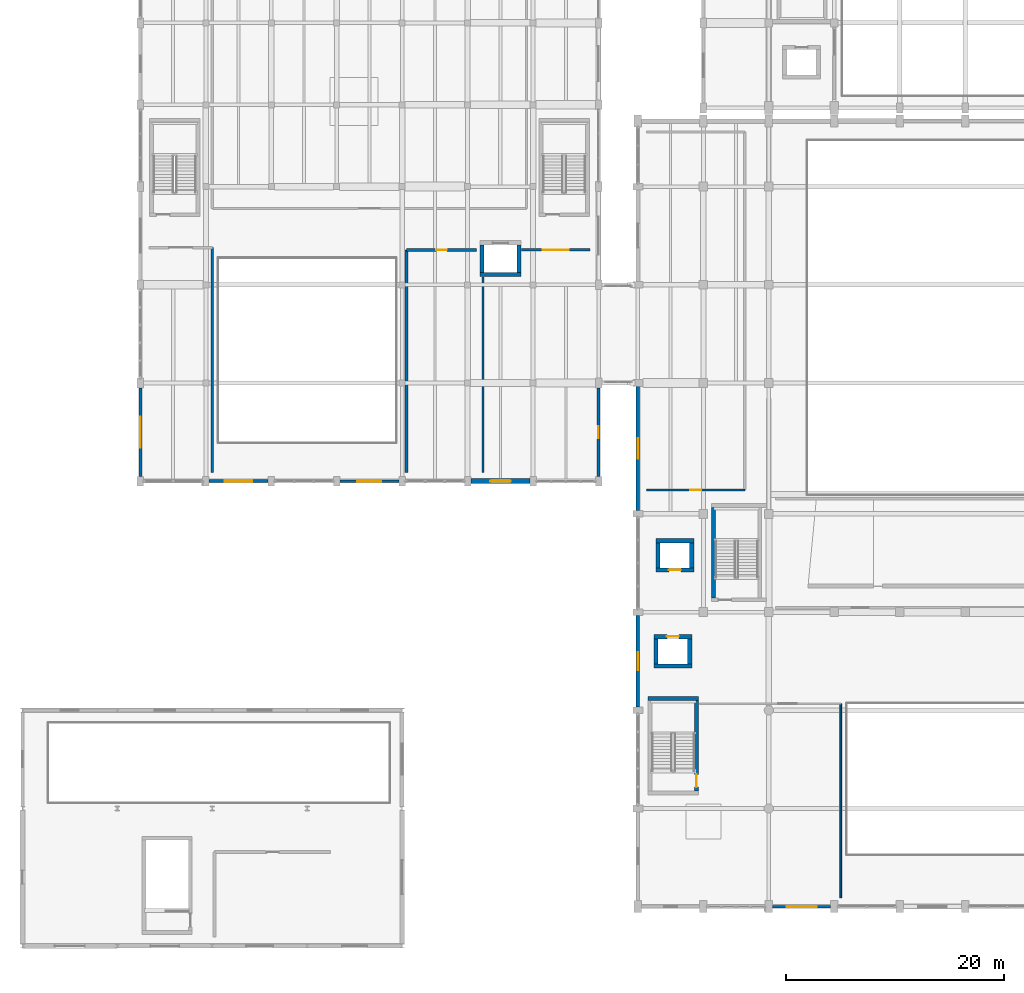
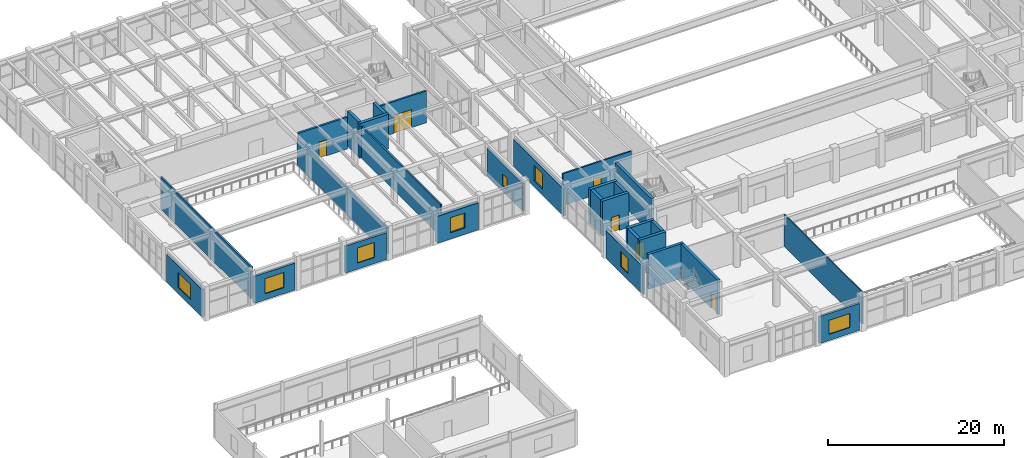
# One storey, part 68 of 96: 29 walls, 8 windows, 6 doors, 14 openings.
"""IFC4 building model written with IfcOpenShell, lengths in metres."""

from ifc_helpers import new_model, si_unit, direction, frame, frame_2d, origin, place, context, subcontext, project, spatial, rectangle, extrude, material, layer, layer_set, type_object, element, fill, save


model = new_model("IFC4")

# Units and contexts
model_context = context("Model", 3, precision=1e-05, world=origin(), true_north=direction((0.0, 1.0)))
body_context = subcontext(model_context, "Body", "Model", "MODEL_VIEW")
ifc_project = project(units=[si_unit("LENGTHUNIT", "METRE"), si_unit("AREAUNIT", "SQUARE_METRE"), si_unit("VOLUMEUNIT", "CUBIC_METRE"), si_unit("PLANEANGLEUNIT", "RADIAN"), si_unit("MASSUNIT", "GRAM", prefix="KILO")], contexts=[model_context])

# Site, building, storey
site_placement = place(None, origin())
site = spatial("IfcSite", under=ifc_project, at=site_placement, CompositionType="ELEMENT")
building_placement = place(site_placement, origin())
building = spatial("IfcBuilding", under=site, at=building_placement, Name="Vaelkrest Opera House", CompositionType="ELEMENT")
storey_placement = place(building_placement, frame((0.0, 0.0, 5.39990234375)))
storey = spatial("IfcBuildingStorey", under=building, at=storey_placement, Name="L01", CompositionType="ELEMENT", Elevation=5.39990234375)

# Wall, opening, window
ifc_material_1 = material(Name="Douglas fir glulam GL28h", Category="wood")
ifc_layer_1 = layer(ifc_material_1, 0.2548828125)
ifc_layer_set_1 = layer_set([ifc_layer_1], Name="Douglas fir glulam GL28h")
wall_type_1 = type_object("IfcWallType", Name="EW01", PredefinedType="STANDARD", material=ifc_layer_set_1)
wall_1_placement = place(storey_placement, frame((-12.347900390625, -55.800048828125, 0.0), z_axis=(0.0, 0.0, 1.0), x_axis=(-1.0, 0.0, 0.0)))
wall_1 = element("IfcWall", 1, at=wall_1_placement, inside=storey, type_object=wall_type_1, Name="Exterior facade wall EW-V1-L01-0031", PredefinedType="STANDARD", context=body_context, shape_type="SweptSolid", body=[
    extrude(rectangle(XDim=5.30419921875, YDim=0.2548828125, at=frame_2d((2.652099609375, 0.0))), origin(), (0.0, 0.0, 1.0), 3.739990234375),
])
opening_1_placement = place(wall_1_placement, frame((1.277099609375, 0.0, 0.85009765625)))
opening_1 = element("IfcOpeningElement", 2, at=opening_1_placement, cuts=wall_1, Name="Opening WN012", PredefinedType="OPENING", context=body_context, shape_type="SweptSolid", body=[
    extrude(rectangle(XDim=2.75, YDim=1.949951171875, at=frame_2d((1.375, 0.97509765625))), frame((0.0, 0.137451171875, 0.0), z_axis=(0.0, -1.0, 0.0), x_axis=(1.0, 0.0, 0.0)), (0.0, 0.0, 1.0), 0.27490234375),
])
ifc_material_2 = material(Name="Double low-E insulated glazing", Category="glass")
window_type_1 = type_object("IfcWindowType", Name="WT12", PartitioningType="SINGLE_PANEL", PredefinedType="WINDOW", material=ifc_material_2)
window_1_placement = place(opening_1_placement, origin())
window_1 = element("IfcWindow", 3, at=window_1_placement, inside=storey, type_object=window_type_1, Name="Facade window WN012", OverallHeight=1.949951171875, OverallWidth=2.75, PartitioningType="SINGLE_PANEL", PredefinedType="WINDOW", context=body_context, shape_type="SweptSolid", body=[
    extrude(rectangle(XDim=2.75, YDim=1.949951171875, at=frame_2d((1.375, 0.97509765625))), frame((0.0, 0.030029296875, 0.0), z_axis=(0.0, -1.0, 0.0), x_axis=(1.0, 0.0, 0.0)), (0.0, 0.0, 1.0), 0.06005859375),
])
fill(opening_1, window_1)

wall_2_placement = place(storey_placement, frame((-51.89794921875, -16.800048828125, 0.0), z_axis=(0.0, 0.0, 1.0), x_axis=(-1.0, 0.0, 0.0)))
wall_2 = element("IfcWall", 4, at=wall_2_placement, inside=storey, type_object=wall_type_1, Name="Exterior facade wall EW-V3-L01-0161", PredefinedType="STANDARD", context=body_context, shape_type="SweptSolid", body=[
    extrude(rectangle(XDim=5.404052734375, YDim=0.2548828125, at=frame_2d((2.7021484375, 0.0))), origin(), (0.0, 0.0, 1.0), 3.739990234375),
])
opening_2_placement = place(wall_2_placement, frame((1.60205078125, 0.0, 0.85009765625)))
opening_2 = element("IfcOpeningElement", 5, at=opening_2_placement, cuts=wall_2, Name="Opening WN069", PredefinedType="OPENING", context=body_context, shape_type="SweptSolid", body=[
    extrude(rectangle(XDim=2.199951171875, YDim=2.10009765625, at=frame_2d((1.10009765625, 1.050048828125))), frame((0.0, 0.137451171875, 0.0), z_axis=(0.0, -1.0, 0.0), x_axis=(1.0, 0.0, 0.0)), (0.0, 0.0, 1.0), 0.27490234375),
])
window_type_2 = type_object("IfcWindowType", Name="WT17", PartitioningType="SINGLE_PANEL", PredefinedType="WINDOW", material=ifc_material_2)
window_2_placement = place(opening_2_placement, origin())
window_2 = element("IfcWindow", 6, at=window_2_placement, inside=storey, type_object=window_type_2, Name="Facade window WN069", OverallHeight=2.10009765625, OverallWidth=2.199951171875, PartitioningType="SINGLE_PANEL", PredefinedType="WINDOW", context=body_context, shape_type="SweptSolid", body=[
    extrude(rectangle(XDim=2.199951171875, YDim=2.10009765625, at=frame_2d((1.10009765625, 1.050048828125))), frame((0.0, 0.030029296875, 0.0), z_axis=(0.0, -1.0, 0.0), x_axis=(1.0, 0.0, 0.0)), (0.0, 0.0, 1.0), 0.06005859375),
])
fill(opening_2, window_2)

wall_3_placement = place(storey_placement, frame((-33.60009765625, -8.248046875, 0.0), z_axis=(0.0, 0.0, 1.0), x_axis=(0.0, -1.0, 0.0)))
wall_3 = element("IfcWall", 7, at=wall_3_placement, inside=storey, type_object=wall_type_1, Name="Exterior facade wall EW-V3-L01-0171", PredefinedType="STANDARD", context=body_context, shape_type="SweptSolid", body=[
    extrude(rectangle(XDim=8.10400390625, YDim=0.2548828125, at=frame_2d((4.052001953125, 0.0))), origin(), (0.0, 0.0, 1.0), 3.82421875),
])
opening_3_placement = place(wall_3_placement, frame((3.501953125, 0.0, 0.85009765625)))
opening_3 = element("IfcOpeningElement", 8, at=opening_3_placement, cuts=wall_3, Name="Opening WN079", PredefinedType="OPENING", context=body_context, shape_type="SweptSolid", body=[
    extrude(rectangle(XDim=1.10009765625, YDim=1.60009765625, at=frame_2d((0.550048828125, 0.800048828125))), frame((0.0, 0.137451171875, 0.0), z_axis=(0.0, -1.0, 0.0), x_axis=(1.0, 0.0, 0.0)), (0.0, 0.0, 1.0), 0.27490234375),
])
window_type_3 = type_object("IfcWindowType", Name="WT01", PartitioningType="SINGLE_PANEL", PredefinedType="WINDOW", material=ifc_material_2)
window_3_placement = place(opening_3_placement, origin())
window_3 = element("IfcWindow", 9, at=window_3_placement, inside=storey, type_object=window_type_3, Name="Facade window WN079", OverallHeight=1.60009765625, OverallWidth=1.10009765625, PartitioningType="SINGLE_PANEL", PredefinedType="WINDOW", context=body_context, shape_type="SweptSolid", body=[
    extrude(rectangle(XDim=1.10009765625, YDim=1.60009765625, at=frame_2d((0.550048828125, 0.800048828125))), frame((0.0, 0.030029296875, 0.0), z_axis=(0.0, -1.0, 0.0), x_axis=(1.0, 0.0, 0.0)), (0.0, 0.0, 1.0), 0.06005859375),
])
fill(opening_3, window_3)

ifc_layer_2 = layer(ifc_material_1, 0.27490234375)
ifc_layer_set_2 = layer_set([ifc_layer_2], Name="Douglas fir glulam GL28h")
wall_type_2 = type_object("IfcWallType", Name="EW02", PredefinedType="STANDARD", material=ifc_layer_set_2)
wall_4_placement = place(storey_placement, frame((-63.89794921875, -16.800048828125, 0.0), z_axis=(0.0, 0.0, 1.0), x_axis=(-1.0, 0.0, 0.0)))
wall_4 = element("IfcWall", 10, at=wall_4_placement, inside=storey, type_object=wall_type_2, Name="Exterior facade wall EW-V3-L01-0162", PredefinedType="STANDARD", context=body_context, shape_type="SweptSolid", body=[
    extrude(rectangle(XDim=5.404052734375, YDim=0.27490234375, at=frame_2d((2.7021484375, 0.0))), origin(), (0.0, 0.0, 1.0), 3.739990234375),
])
opening_4_placement = place(wall_4_placement, frame((1.451904296875, 0.0, 0.85009765625)))
opening_4 = element("IfcOpeningElement", 11, at=opening_4_placement, cuts=wall_4, Name="Opening WN070", PredefinedType="OPENING", context=body_context, shape_type="SweptSolid", body=[
    extrude(rectangle(XDim=2.5, YDim=2.10009765625, at=frame_2d((1.25, 1.050048828125))), frame((0.0, 0.1474609375, 0.0), z_axis=(0.0, -1.0, 0.0), x_axis=(1.0, 0.0, 0.0)), (0.0, 0.0, 1.0), 0.294921875),
])
window_type_4 = type_object("IfcWindowType", Name="WT18", PartitioningType="SINGLE_PANEL", PredefinedType="WINDOW", material=ifc_material_2)
window_4_placement = place(opening_4_placement, origin())
window_4 = element("IfcWindow", 12, at=window_4_placement, inside=storey, type_object=window_type_4, Name="Facade window WN070", OverallHeight=2.10009765625, OverallWidth=2.5, PartitioningType="SINGLE_PANEL", PredefinedType="WINDOW", context=body_context, shape_type="SweptSolid", body=[
    extrude(rectangle(XDim=2.5, YDim=2.10009765625, at=frame_2d((1.25, 1.050048828125))), frame((0.0, 0.030029296875, 0.0), z_axis=(0.0, -1.0, 0.0), x_axis=(1.0, 0.0, 0.0)), (0.0, 0.0, 1.0), 0.06005859375),
])
fill(opening_4, window_4)

ifc_layer_3 = layer(ifc_material_1, 0.294921875)
ifc_layer_set_3 = layer_set([ifc_layer_3], Name="Douglas fir glulam GL28h")
wall_type_3 = type_object("IfcWallType", Name="EW03", PredefinedType="STANDARD", material=ifc_layer_set_3)
wall_5_placement = place(storey_placement, frame((-75.60009765625, -16.35205078125, 0.0), z_axis=(0.0, 0.0, 1.0), x_axis=(0.0, 1.0, 0.0)))
wall_5 = element("IfcWall", 13, at=wall_5_placement, inside=storey, type_object=wall_type_3, Name="Exterior facade wall EW-V3-L01-0163", PredefinedType="STANDARD", context=body_context, shape_type="SweptSolid", body=[
    extrude(rectangle(XDim=8.10400390625, YDim=0.294921875, at=frame_2d((4.052001953125, 0.0))), origin(), (0.0, 0.0, 1.0), 3.82421875),
])
opening_5_placement = place(wall_5_placement, frame((2.626953125, 0.0, 0.85009765625)))
opening_5 = element("IfcOpeningElement", 14, at=opening_5_placement, cuts=wall_5, Name="Opening WN071", PredefinedType="OPENING", context=body_context, shape_type="SweptSolid", body=[
    extrude(rectangle(XDim=2.85009765625, YDim=2.10009765625, at=frame_2d((1.425048828125, 1.050048828125))), frame((0.0, 0.157470703125, 0.0), z_axis=(0.0, -1.0, 0.0), x_axis=(1.0, 0.0, 0.0)), (0.0, 0.0, 1.0), 0.31494140625),
])
window_type_5 = type_object("IfcWindowType", Name="WT19", PartitioningType="SINGLE_PANEL", PredefinedType="WINDOW", material=ifc_material_2)
window_5_placement = place(opening_5_placement, origin())
window_5 = element("IfcWindow", 15, at=window_5_placement, inside=storey, type_object=window_type_5, Name="Facade window WN071", OverallHeight=2.10009765625, OverallWidth=2.85009765625, PartitioningType="SINGLE_PANEL", PredefinedType="WINDOW", context=body_context, shape_type="SweptSolid", body=[
    extrude(rectangle(XDim=2.85009765625, YDim=2.10009765625, at=frame_2d((1.425048828125, 1.050048828125))), frame((0.0, 0.030029296875, 0.0), z_axis=(0.0, -1.0, 0.0), x_axis=(1.0, 0.0, 0.0)), (0.0, 0.0, 1.0), 0.06005859375),
])
fill(opening_5, window_5)

ifc_material_3 = material(Name="American black walnut acoustic timber", Category="wood")
ifc_layer_4 = layer(ifc_material_3, 0.31494140625)
ifc_layer_set_4 = layer_set([ifc_layer_4], Name="American black walnut acoustic timber")
wall_type_4 = type_object("IfcWallType", Name="EW04", PredefinedType="STANDARD", material=ifc_layer_set_4)
wall_6_placement = place(storey_placement, frame((-30.0, -37.501953125, 0.0), z_axis=(0.0, 0.0, 1.0), x_axis=(0.0, 1.0, 0.0)))
wall_6 = element("IfcWall", 16, at=wall_6_placement, inside=storey, type_object=wall_type_4, Name="Exterior facade wall EW-V1-L01-0034", PredefinedType="STANDARD", context=body_context, shape_type="SweptSolid", body=[
    extrude(rectangle(XDim=8.404052734375, YDim=0.31494140625, at=frame_2d((4.2021484375, 0.0))), origin(), (0.0, 0.0, 1.0), 3.82421875),
])
opening_6_placement = place(wall_6_placement, frame((3.376953125, 0.0, 0.85009765625)))
opening_6 = element("IfcOpeningElement", 17, at=opening_6_placement, cuts=wall_6, Name="Opening WN015", PredefinedType="OPENING", context=body_context, shape_type="SweptSolid", body=[
    extrude(rectangle(XDim=1.64990234375, YDim=2.10009765625, at=frame_2d((0.824951171875, 1.050048828125))), frame((0.0, 0.16748046875, 0.0), z_axis=(0.0, -1.0, 0.0), x_axis=(1.0, 0.0, 0.0)), (0.0, 0.0, 1.0), 0.3349609375),
])
window_type_6 = type_object("IfcWindowType", Name="WT15", PartitioningType="SINGLE_PANEL", PredefinedType="WINDOW", material=ifc_material_2)
window_6_placement = place(opening_6_placement, origin())
window_6 = element("IfcWindow", 18, at=window_6_placement, inside=storey, type_object=window_type_6, Name="Facade window WN015", OverallHeight=2.10009765625, OverallWidth=1.64990234375, PartitioningType="SINGLE_PANEL", PredefinedType="WINDOW", context=body_context, shape_type="SweptSolid", body=[
    extrude(rectangle(XDim=1.64990234375, YDim=2.10009765625, at=frame_2d((0.824951171875, 1.050048828125))), frame((0.0, 0.030029296875, 0.0), z_axis=(0.0, -1.0, 0.0), x_axis=(1.0, 0.0, 0.0)), (0.0, 0.0, 1.0), 0.06005859375),
])
fill(opening_6, window_6)

ifc_layer_5 = layer(ifc_material_3, 0.3349609375)
ifc_layer_set_5 = layer_set([ifc_layer_5], Name="American black walnut acoustic timber")
wall_type_5 = type_object("IfcWallType", Name="EW05", PredefinedType="STANDARD", material=ifc_layer_set_5)
wall_7_placement = place(storey_placement, frame((-30.0, -19.501953125, 0.0), z_axis=(0.0, 0.0, 1.0), x_axis=(0.0, 1.0, 0.0)))
wall_7 = element("IfcWall", 19, at=wall_7_placement, inside=storey, type_object=wall_type_5, Name="Exterior facade wall EW-V1-L01-0035", PredefinedType="STANDARD", context=body_context, shape_type="SweptSolid", body=[
    extrude(rectangle(XDim=11.404052734375, YDim=0.3349609375, at=frame_2d((5.7021484375, 0.0))), origin(), (0.0, 0.0, 1.0), 3.739990234375),
])
opening_7_placement = place(wall_7_placement, frame((4.751953125, 0.0, 0.85009765625)))
opening_7 = element("IfcOpeningElement", 20, at=opening_7_placement, cuts=wall_7, Name="Opening WN016", PredefinedType="OPENING", context=body_context, shape_type="SweptSolid", body=[
    extrude(rectangle(XDim=1.89990234375, YDim=2.10009765625, at=frame_2d((0.949951171875, 1.050048828125))), frame((0.0, 0.177490234375, 0.0), z_axis=(0.0, -1.0, 0.0), x_axis=(1.0, 0.0, 0.0)), (0.0, 0.0, 1.0), 0.35498046875),
])
window_type_7 = type_object("IfcWindowType", Name="WT16", PartitioningType="SINGLE_PANEL", PredefinedType="WINDOW", material=ifc_material_2)
window_7_placement = place(opening_7_placement, origin())
window_7 = element("IfcWindow", 21, at=window_7_placement, inside=storey, type_object=window_type_7, Name="Facade window WN016", OverallHeight=2.10009765625, OverallWidth=1.89990234375, PartitioningType="SINGLE_PANEL", PredefinedType="WINDOW", context=body_context, shape_type="SweptSolid", body=[
    extrude(rectangle(XDim=1.89990234375, YDim=2.10009765625, at=frame_2d((0.949951171875, 1.050048828125))), frame((0.0, 0.030029296875, 0.0), z_axis=(0.0, -1.0, 0.0), x_axis=(1.0, 0.0, 0.0)), (0.0, 0.0, 1.0), 0.06005859375),
])
fill(opening_7, window_7)

ifc_material_4 = material(Name="Concrete C40/50", Category="concrete")
ifc_layer_6 = layer(ifc_material_4, 0.465087890625)
ifc_layer_set_6 = layer_set([ifc_layer_6], Name="Concrete C40/50")
wall_type_6 = type_object("IfcWallType", Name="EW10", PredefinedType="STANDARD", material=ifc_layer_set_6)
wall_8_placement = place(storey_placement, frame((-39.89794921875, -16.800048828125, 0.0), z_axis=(0.0, 0.0, 1.0), x_axis=(-1.0, 0.0, 0.0)))
wall_8 = element("IfcWall", 22, at=wall_8_placement, inside=storey, type_object=wall_type_6, Name="Exterior facade wall EW-V3-L01-0160", PredefinedType="STANDARD", context=body_context, shape_type="SweptSolid", body=[
    extrude(rectangle(XDim=5.404052734375, YDim=0.465087890625, at=frame_2d((2.7021484375, 0.0))), origin(), (0.0, 0.0, 1.0), 3.739990234375),
])
opening_8_placement = place(wall_8_placement, frame((1.751953125, 0.0, 0.85009765625)))
opening_8 = element("IfcOpeningElement", 23, at=opening_8_placement, cuts=wall_8, Name="Opening WN068", PredefinedType="OPENING", context=body_context, shape_type="SweptSolid", body=[
    extrude(rectangle(XDim=1.89990234375, YDim=2.10009765625, at=frame_2d((0.949951171875, 1.050048828125))), frame((0.0, 0.242431640625, 0.0), z_axis=(0.0, -1.0, 0.0), x_axis=(1.0, 0.0, 0.0)), (0.0, 0.0, 1.0), 0.485107421875),
])
window_8_placement = place(opening_8_placement, origin())
window_8 = element("IfcWindow", 24, at=window_8_placement, inside=storey, type_object=window_type_7, Name="Facade window WN068", OverallHeight=2.10009765625, OverallWidth=1.89990234375, PartitioningType="SINGLE_PANEL", PredefinedType="WINDOW", context=body_context, shape_type="SweptSolid", body=[
    extrude(rectangle(XDim=1.89990234375, YDim=2.10009765625, at=frame_2d((0.949951171875, 1.050048828125))), frame((0.0, 0.030029296875, 0.0), z_axis=(0.0, -1.0, 0.0), x_axis=(1.0, 0.0, 0.0)), (0.0, 0.0, 1.0), 0.06005859375),
])
fill(opening_8, window_8)

# Wall
ifc_material_5 = material(Name="Gypsum acoustic board", Category="gypsum")
ifc_layer_7 = layer(ifc_material_5, 0.14990234375)
ifc_layer_set_7 = layer_set([ifc_layer_7], Name="Gypsum acoustic board")
wall_type_7 = type_object("IfcWallType", Name="PT03", PredefinedType="PARTITIONING", material=ifc_layer_set_7)
wall_9_placement = place(storey_placement, frame((-11.39990234375, -55.0, 0.0), z_axis=(0.0, 0.0, 1.0), x_axis=(0.0, 1.0, 0.0)))
element("IfcWall", 25, at=wall_9_placement, inside=storey, type_object=wall_type_7, Name="Interior partition PT-V1-L01-0059", PredefinedType="PARTITIONING", context=body_context, shape_type="SweptSolid", body=[
    extrude(rectangle(XDim=17.800048828125, YDim=0.14990234375, at=frame_2d((8.89990234375, 0.0))), origin(), (0.0, 0.0, 1.0), 4.420166015625),
])

# Wall, opening, door
ifc_layer_8 = layer(ifc_material_5, 0.195068359375)
ifc_layer_set_8 = layer_set([ifc_layer_8], Name="Gypsum acoustic board")
wall_type_8 = type_object("IfcWallType", Name="PT06", PredefinedType="PARTITIONING", material=ifc_layer_set_8)
wall_10_placement = place(storey_placement, frame((-29.199951171875, -17.60009765625, 0.0), z_axis=(0.0, 0.0, 1.0), x_axis=(1.0, 0.0, 0.0)))
wall_10 = element("IfcWall", 26, at=wall_10_placement, inside=storey, type_object=wall_type_8, Name="Interior partition PT-V1-L01-0062", PredefinedType="PARTITIONING", context=body_context, shape_type="SweptSolid", body=[
    extrude(rectangle(XDim=9.0, YDim=0.195068359375, at=frame_2d((4.5, 0.0))), origin(), (0.0, 0.0, 1.0), 4.420166015625),
])
opening_9_placement = place(wall_10_placement, frame((4.0, 0.0, 0.0)))
opening_9 = element("IfcOpeningElement", 27, at=opening_9_placement, cuts=wall_10, Name="Opening D024", PredefinedType="OPENING", context=body_context, shape_type="SweptSolid", body=[
    extrude(rectangle(XDim=1.0, YDim=2.25, at=frame_2d((0.5, 1.125))), frame((0.0, 0.107421875, 0.0), z_axis=(0.0, -1.0, 0.0), x_axis=(1.0, 0.0, 0.0)), (0.0, 0.0, 1.0), 0.215087890625),
])
door_type_1 = type_object("IfcDoorType", Name="DT10", OperationType="NOTDEFINED", PredefinedType="DOOR", material=ifc_material_3)
door_1_placement = place(opening_9_placement, origin())
door_1 = element("IfcDoor", 28, at=door_1_placement, inside=storey, type_object=door_type_1, Name="Interior door D024 (Community Room)", OperationType="SINGLE_SWING_LEFT", OverallHeight=2.25, OverallWidth=1.0, PredefinedType="DOOR", context=body_context, shape_type="SweptSolid", body=[
    extrude(rectangle(XDim=1.0, YDim=2.25, at=frame_2d((0.5, 1.125))), frame((0.0, 0.02490234375, 0.0), z_axis=(0.0, -1.0, 0.0), x_axis=(1.0, 0.0, 0.0)), (0.0, 0.0, 1.0), 0.050048828125),
])
fill(opening_9, door_1)

# Walls
ifc_layer_9 = layer(ifc_material_3, 0.2099609375)
ifc_layer_set_9 = layer_set([ifc_layer_9], Name="American black walnut acoustic timber")
wall_type_9 = type_object("IfcWallType", Name="PT07", PredefinedType="PARTITIONING", material=ifc_layer_set_9)
wall_11_placement = place(storey_placement, frame((-69.0, -16.0, 0.0), z_axis=(0.0, 0.0, 1.0), x_axis=(0.0, 1.0, 0.0)))
element("IfcWall", 29, at=wall_11_placement, inside=storey, type_object=wall_type_9, Name="Interior partition PT-V3-L01-0293", PredefinedType="PARTITIONING", context=body_context, shape_type="SweptSolid", body=[
    extrude(rectangle(XDim=20.60009765625, YDim=0.2099609375, at=frame_2d((10.300048828125, 0.0))), origin(), (0.0, 0.0, 1.0), 4.420166015625),
])
wall_12_placement = place(storey_placement, frame((-44.199951171875, -16.0, 0.0), z_axis=(0.0, 0.0, 1.0), x_axis=(0.0, 1.0, 0.0)))
element("IfcWall", 30, at=wall_12_placement, inside=storey, type_object=wall_type_9, Name="Interior partition PT-V3-L01-0295", PredefinedType="PARTITIONING", context=body_context, shape_type="SweptSolid", body=[
    extrude(rectangle(XDim=17.89990234375, YDim=0.2099609375, at=frame_2d((8.949951171875, 0.0))), origin(), (0.0, 0.0, 1.0), 4.420166015625),
])

# Wall, opening, door
ifc_layer_10 = layer(ifc_material_3, 0.22509765625)
ifc_layer_set_10 = layer_set([ifc_layer_10], Name="American black walnut acoustic timber")
wall_type_10 = type_object("IfcWallType", Name="PT08", PredefinedType="PARTITIONING", material=ifc_layer_set_10)
wall_13_placement = place(storey_placement, frame((-40.64990234375, 4.39990234375, 0.0), z_axis=(0.0, 0.0, 1.0), x_axis=(1.0, 0.0, 0.0)))
wall_13 = element("IfcWall", 31, at=wall_13_placement, inside=storey, type_object=wall_type_10, Name="Interior partition PT-V3-L01-0294", PredefinedType="PARTITIONING", context=body_context, shape_type="SweptSolid", body=[
    extrude(rectangle(XDim=6.25, YDim=0.22509765625, at=frame_2d((3.125, 0.0))), origin(), (0.0, 0.0, 1.0), 4.420166015625),
])
opening_10_placement = place(wall_13_placement, frame((1.949951171875, 0.0, 0.0)))
opening_10 = element("IfcOpeningElement", 32, at=opening_10_placement, cuts=wall_13, Name="Opening D116", PredefinedType="OPENING", context=body_context, shape_type="SweptSolid", body=[
    extrude(rectangle(XDim=2.35009765625, YDim=2.5, at=frame_2d((1.175048828125, 1.25))), frame((0.0, 0.12255859375, 0.0), z_axis=(0.0, -1.0, 0.0), x_axis=(1.0, 0.0, 0.0)), (0.0, 0.0, 1.0), 0.2451171875),
])
door_type_2 = type_object("IfcDoorType", Name="DT18", OperationType="DOUBLE_DOOR_SINGLE_SWING", PredefinedType="DOOR", material=ifc_material_3)
door_2_placement = place(opening_10_placement, origin())
door_2 = element("IfcDoor", 33, at=door_2_placement, inside=storey, type_object=door_type_2, Name="Interior door D116 (Vocal Coaching Studio)", OperationType="DOUBLE_DOOR_SINGLE_SWING", OverallHeight=2.5, OverallWidth=2.35009765625, PredefinedType="DOOR", context=body_context, shape_type="SweptSolid", body=[
    extrude(rectangle(XDim=2.35009765625, YDim=2.5, at=frame_2d((1.175048828125, 1.25))), frame((0.0, 0.02490234375, 0.0), z_axis=(0.0, -1.0, 0.0), x_axis=(1.0, 0.0, 0.0)), (0.0, 0.0, 1.0), 0.050048828125),
])
fill(opening_10, door_2)

ifc_layer_11 = layer(ifc_material_4, 0.260009765625)
ifc_layer_set_11 = layer_set([ifc_layer_11], Name="Concrete C40/50")
wall_type_11 = type_object("IfcWallType", Name="PT10", PredefinedType="PARTITIONING", material=ifc_layer_set_11)
wall_14_placement = place(storey_placement, frame((-51.199951171875, 4.39990234375, 0.0), z_axis=(0.0, 0.0, 1.0), x_axis=(1.0, 0.0, 0.0)))
wall_14 = element("IfcWall", 34, at=wall_14_placement, inside=storey, type_object=wall_type_11, Name="Interior partition PT-V3-L01-0290", PredefinedType="PARTITIONING", context=body_context, shape_type="SweptSolid", body=[
    extrude(rectangle(XDim=6.39990234375, YDim=0.260009765625, at=frame_2d((3.199951171875, 0.0))), origin(), (0.0, 0.0, 1.0), 4.420166015625),
])
opening_11_placement = place(wall_14_placement, frame((2.699951171875, 0.0, 0.0)))
opening_11 = element("IfcOpeningElement", 35, at=opening_11_placement, cuts=wall_14, Name="Opening D114", PredefinedType="OPENING", context=body_context, shape_type="SweptSolid", body=[
    extrude(rectangle(XDim=1.0, YDim=2.25, at=frame_2d((0.5, 1.125))), frame((0.0, 0.139892578125, 0.0), z_axis=(0.0, -1.0, 0.0), x_axis=(1.0, 0.0, 0.0)), (0.0, 0.0, 1.0), 0.280029296875),
])
door_3_placement = place(opening_11_placement, origin())
door_3 = element("IfcDoor", 36, at=door_3_placement, inside=storey, type_object=door_type_1, Name="Interior door D114 (Lighting Control Booth)", OperationType="SINGLE_SWING_LEFT", OverallHeight=2.25, OverallWidth=1.0, PredefinedType="DOOR", context=body_context, shape_type="SweptSolid", body=[
    extrude(rectangle(XDim=1.0, YDim=2.25, at=frame_2d((0.5, 1.125))), frame((0.0, 0.02490234375, 0.0), z_axis=(0.0, -1.0, 0.0), x_axis=(1.0, 0.0, 0.0)), (0.0, 0.0, 1.0), 0.050048828125),
])
fill(opening_11, door_3)

# Walls
ifc_layer_12 = layer(ifc_material_4, 0.280029296875)
ifc_layer_set_12 = layer_set([ifc_layer_12], Name="Concrete C40/50")
wall_type_12 = type_object("IfcWallType", Name="PT11", PredefinedType="PARTITIONING", material=ifc_layer_set_12)
wall_15_placement = place(storey_placement, frame((-51.199951171875, -16.0, 0.0), z_axis=(0.0, 0.0, 1.0), x_axis=(0.0, 1.0, 0.0)))
element("IfcWall", 37, at=wall_15_placement, inside=storey, type_object=wall_type_12, Name="Interior partition PT-V3-L01-0291", PredefinedType="PARTITIONING", context=body_context, shape_type="SweptSolid", body=[
    extrude(rectangle(XDim=20.39990234375, YDim=0.280029296875, at=frame_2d((10.199951171875, 0.0))), origin(), (0.0, 0.0, 1.0), 3.68505859375),
])
ifc_material_6 = material(Name="Concrete C50/60", Category="concrete")
ifc_layer_13 = layer(ifc_material_6, 0.35009765625)
ifc_layer_set_13 = layer_set([ifc_layer_13], Name="Concrete C50/60")
wall_type_13 = type_object("IfcWallType", Name="SW01", PredefinedType="SHEAR", material=ifc_layer_set_13)
wall_16_placement = place(storey_placement, frame((-23.074951171875, -27.5, 0.0), z_axis=(0.0, 0.0, 1.0), x_axis=(0.0, 1.0, 0.0)))
element("IfcWall", 38, at=wall_16_placement, inside=storey, type_object=wall_type_13, Name="Stair core ST01 wall L01 W", PredefinedType="SHEAR", context=body_context, shape_type="SweptSolid", body=[
    extrude(rectangle(XDim=8.300048828125, YDim=0.35009765625, at=frame_2d((4.14990234375, 0.0))), origin(), (0.0, 0.0, 1.0), 4.800048828125),
])
wall_17_placement = place(storey_placement, frame((-29.050048828125, -36.72509765625, 0.0), z_axis=(0.0, 0.0, 1.0), x_axis=(1.0, 0.0, 0.0)))
element("IfcWall", 39, at=wall_17_placement, inside=storey, type_object=wall_type_13, Name="Stair core ST03 wall L01 N", PredefinedType="SHEAR", context=body_context, shape_type="SweptSolid", body=[
    extrude(rectangle(XDim=4.60009765625, YDim=0.35009765625, at=frame_2d((2.300048828125, 0.0))), origin(), (0.0, 0.0, 1.0), 4.800048828125),
])

# Wall, opening, door
wall_18_placement = place(storey_placement, frame((-24.625, -36.89990234375, 0.0), z_axis=(0.0, 0.0, 1.0), x_axis=(0.0, -1.0, 0.0)))
wall_18 = element("IfcWall", 40, at=wall_18_placement, inside=storey, type_object=wall_type_13, Name="Stair core ST03 wall L01 E", PredefinedType="SHEAR", context=body_context, shape_type="SweptSolid", body=[
    extrude(rectangle(XDim=8.300048828125, YDim=0.35009765625, at=frame_2d((4.14990234375, 0.0))), origin(), (0.0, 0.0, 1.0), 4.800048828125),
])
opening_12_placement = place(wall_18_placement, frame((6.77001953125, 0.0, 0.0)))
opening_12 = element("IfcOpeningElement", 41, at=opening_12_placement, cuts=wall_18, Name="Opening SD-ST03-L01", PredefinedType="OPENING", context=body_context, shape_type="SweptSolid", body=[
    extrude(rectangle(XDim=1.179931640625, YDim=2.14990234375, at=frame_2d((0.58984375, 1.074951171875))), frame((0.0, 0.18505859375, 0.0), z_axis=(0.0, -1.0, 0.0), x_axis=(1.0, 0.0, 0.0)), (0.0, 0.0, 1.0), 0.3701171875),
])
door_type_3 = type_object("IfcDoorType", Name="DT07", OperationType="NOTDEFINED", PredefinedType="DOOR", material=ifc_material_3)
door_4_placement = place(opening_12_placement, origin())
door_4 = element("IfcDoor", 42, at=door_4_placement, inside=storey, type_object=door_type_3, Name="Protected stair door SD-ST03-L01", OperationType="SINGLE_SWING_RIGHT", OverallHeight=2.14990234375, OverallWidth=1.179931640625, PredefinedType="DOOR", context=body_context, shape_type="SweptSolid", body=[
    extrude(rectangle(XDim=1.179931640625, YDim=2.14990234375, at=frame_2d((0.58984375, 1.074951171875))), frame((0.0, 0.02490234375, 0.0), z_axis=(0.0, -1.0, 0.0), x_axis=(1.0, 0.0, 0.0)), (0.0, 0.0, 1.0), 0.050048828125),
])
fill(opening_12, door_4)

ifc_layer_14 = layer(ifc_material_6, 0.389892578125)
ifc_layer_set_14 = layer_set([ifc_layer_14], Name="Concrete C50/60")
wall_type_14 = type_object("IfcWallType", Name="SW02", PredefinedType="SHEAR", material=ifc_layer_set_14)
wall_19_placement = place(storey_placement, frame((-24.860107421875, -24.945068359375, 0.0), z_axis=(0.0, 0.0, 1.0), x_axis=(-1.0, 0.0, 0.0)))
wall_19 = element("IfcWall", 43, at=wall_19_placement, inside=storey, type_object=wall_type_14, Name="Lift shaft LP01 wall L01 S", PredefinedType="SHEAR", context=body_context, shape_type="SweptSolid", body=[
    extrude(rectangle(XDim=3.47998046875, YDim=0.389892578125, at=frame_2d((1.739990234375, 0.0))), origin(), (0.0, 0.0, 1.0), 4.800048828125),
])
opening_13_placement = place(wall_19_placement, frame((1.18994140625, 0.0, 0.0)))
opening_13 = element("IfcOpeningElement", 44, at=opening_13_placement, cuts=wall_19, Name="Opening LD-LP01-L01", PredefinedType="OPENING", context=body_context, shape_type="SweptSolid", body=[
    extrude(rectangle(XDim=1.10009765625, YDim=2.14990234375, at=frame_2d((0.550048828125, 1.074951171875))), frame((0.0, 0.204833984375, 0.0), z_axis=(0.0, -1.0, 0.0), x_axis=(1.0, 0.0, 0.0)), (0.0, 0.0, 1.0), 0.409912109375),
])
ifc_material_7 = material(Name="Dark bronze anodized aluminium", Category="aluminium")
door_type_4 = type_object("IfcDoorType", Name="LDT01", OperationType="SLIDING_TO_LEFT", PredefinedType="DOOR", material=ifc_material_7)
door_5_placement = place(opening_13_placement, origin())
door_5 = element("IfcDoor", 45, at=door_5_placement, inside=storey, type_object=door_type_4, Name="Lift landing sliding door LD-LP01-L01", OperationType="SLIDING_TO_LEFT", OverallHeight=2.14990234375, OverallWidth=1.10009765625, PredefinedType="DOOR", context=body_context, shape_type="SweptSolid", body=[
    extrude(rectangle(XDim=1.10009765625, YDim=2.14990234375, at=frame_2d((0.550048828125, 1.074951171875))), frame((0.0, 0.02490234375, 0.0), z_axis=(0.0, -1.0, 0.0), x_axis=(1.0, 0.0, 0.0)), (0.0, 0.0, 1.0), 0.050048828125),
])
fill(opening_13, door_5)

# Walls
wall_20_placement = place(storey_placement, frame((-28.340087890625, -22.2548828125, 0.0), z_axis=(0.0, 0.0, 1.0), x_axis=(1.0, 0.0, 0.0)))
element("IfcWall", 46, at=wall_20_placement, inside=storey, type_object=wall_type_14, Name="Lift shaft LP01 wall L01 N", PredefinedType="SHEAR", context=body_context, shape_type="SweptSolid", body=[
    extrude(rectangle(XDim=3.47998046875, YDim=0.389892578125, at=frame_2d((1.739990234375, 0.0))), origin(), (0.0, 0.0, 1.0), 4.800048828125),
])
for number, where, z_axis, x_axis, name in (
    (47, (-28.14501953125, -24.75, 0.0), (0.0, 0.0, 1.0), (0.0, 1.0, 0.0), "Lift shaft LP01 wall L01 W"),
    (48, (-25.054931640625, -22.449951171875, 0.0), (0.0, 0.0, 1.0), (0.0, -1.0, 0.0), "Lift shaft LP01 wall L01 E"),
):
    element("IfcWall", number, at=place(storey_placement, frame(where, z_axis=z_axis, x_axis=x_axis)), inside=storey, type_object=wall_type_14, Name=name, PredefinedType="SHEAR", context=body_context, shape_type="SweptSolid", body=[
        extrude(rectangle(XDim=2.300048828125, YDim=0.389892578125, at=frame_2d((1.14990234375, 0.0))), origin(), (0.0, 0.0, 1.0), 4.800048828125),
    ])
wall_21_placement = place(storey_placement, frame((-25.06005859375, -33.7451171875, 0.0), z_axis=(0.0, 0.0, 1.0), x_axis=(-1.0, 0.0, 0.0)))
element("IfcWall", 49, at=wall_21_placement, inside=storey, type_object=wall_type_14, Name="Lift shaft LP03 wall L01 S", PredefinedType="SHEAR", context=body_context, shape_type="SweptSolid", body=[
    extrude(rectangle(XDim=3.47998046875, YDim=0.389892578125, at=frame_2d((1.739990234375, 0.0))), origin(), (0.0, 0.0, 1.0), 4.800048828125),
])

# Wall, opening, door
wall_22_placement = place(storey_placement, frame((-28.5400390625, -31.054931640625, 0.0), z_axis=(0.0, 0.0, 1.0), x_axis=(1.0, 0.0, 0.0)))
wall_22 = element("IfcWall", 50, at=wall_22_placement, inside=storey, type_object=wall_type_14, Name="Lift shaft LP03 wall L01 N", PredefinedType="SHEAR", context=body_context, shape_type="SweptSolid", body=[
    extrude(rectangle(XDim=3.47998046875, YDim=0.389892578125, at=frame_2d((1.739990234375, 0.0))), origin(), (0.0, 0.0, 1.0), 4.800048828125),
])
opening_14_placement = place(wall_22_placement, frame((1.18994140625, 0.0, 0.0)))
opening_14 = element("IfcOpeningElement", 51, at=opening_14_placement, cuts=wall_22, Name="Opening LD-LP03-L01", PredefinedType="OPENING", context=body_context, shape_type="SweptSolid", body=[
    extrude(rectangle(XDim=1.10009765625, YDim=2.14990234375, at=frame_2d((0.550048828125, 1.074951171875))), frame((0.0, 0.204833984375, 0.0), z_axis=(0.0, -1.0, 0.0), x_axis=(1.0, 0.0, 0.0)), (0.0, 0.0, 1.0), 0.409912109375),
])
door_6_placement = place(opening_14_placement, origin())
door_6 = element("IfcDoor", 52, at=door_6_placement, inside=storey, type_object=door_type_4, Name="Lift landing sliding door LD-LP03-L01", OperationType="SLIDING_TO_LEFT", OverallHeight=2.14990234375, OverallWidth=1.10009765625, PredefinedType="DOOR", context=body_context, shape_type="SweptSolid", body=[
    extrude(rectangle(XDim=1.10009765625, YDim=2.14990234375, at=frame_2d((0.550048828125, 1.074951171875))), frame((0.0, 0.02490234375, 0.0), z_axis=(0.0, -1.0, 0.0), x_axis=(1.0, 0.0, 0.0)), (0.0, 0.0, 1.0), 0.050048828125),
])
fill(opening_14, door_6)

# Walls
for number, where, z_axis, x_axis, name in (
    (53, (-28.344970703125, -33.550048828125, 0.0), (0.0, 0.0, 1.0), (0.0, 1.0, 0.0), "Lift shaft LP03 wall L01 W"),
    (54, (-25.2548828125, -31.25, 0.0), (0.0, 0.0, 1.0), (0.0, -1.0, 0.0), "Lift shaft LP03 wall L01 E"),
):
    element("IfcWall", number, at=place(storey_placement, frame(where, z_axis=z_axis, x_axis=x_axis)), inside=storey, type_object=wall_type_14, Name=name, PredefinedType="SHEAR", context=body_context, shape_type="SweptSolid", body=[
        extrude(rectangle(XDim=2.300048828125, YDim=0.389892578125, at=frame_2d((1.14990234375, 0.0))), origin(), (0.0, 0.0, 1.0), 4.800048828125),
    ])
wall_23_placement = place(storey_placement, frame((-40.7099609375, 2.155029296875, 0.0), z_axis=(0.0, 0.0, 1.0), x_axis=(-1.0, 0.0, 0.0)))
element("IfcWall", 55, at=wall_23_placement, inside=storey, type_object=wall_type_14, Name="Lift shaft LP05 wall L01 S", PredefinedType="SHEAR", context=body_context, shape_type="SweptSolid", body=[
    extrude(rectangle(XDim=3.780029296875, YDim=0.389892578125, at=frame_2d((1.89013671875, 0.0))), origin(), (0.0, 0.0, 1.0), 4.800048828125),
])
for number, where, z_axis, x_axis, name in (
    (56, (-44.294921875, 2.35009765625, 0.0), (0.0, 0.0, 1.0), (0.0, 1.0, 0.0), "Lift shaft LP05 wall L01 W"),
    (57, (-40.905029296875, 4.85009765625, 0.0), (0.0, 0.0, 1.0), (0.0, -1.0, 0.0), "Lift shaft LP05 wall L01 E"),
):
    element("IfcWall", number, at=place(storey_placement, frame(where, z_axis=z_axis, x_axis=x_axis)), inside=storey, type_object=wall_type_14, Name=name, PredefinedType="SHEAR", context=body_context, shape_type="SweptSolid", body=[
        extrude(rectangle(XDim=2.5, YDim=0.389892578125, at=frame_2d((1.25, 0.0))), origin(), (0.0, 0.0, 1.0), 4.800048828125),
    ])

save(model, "model.ifc")
